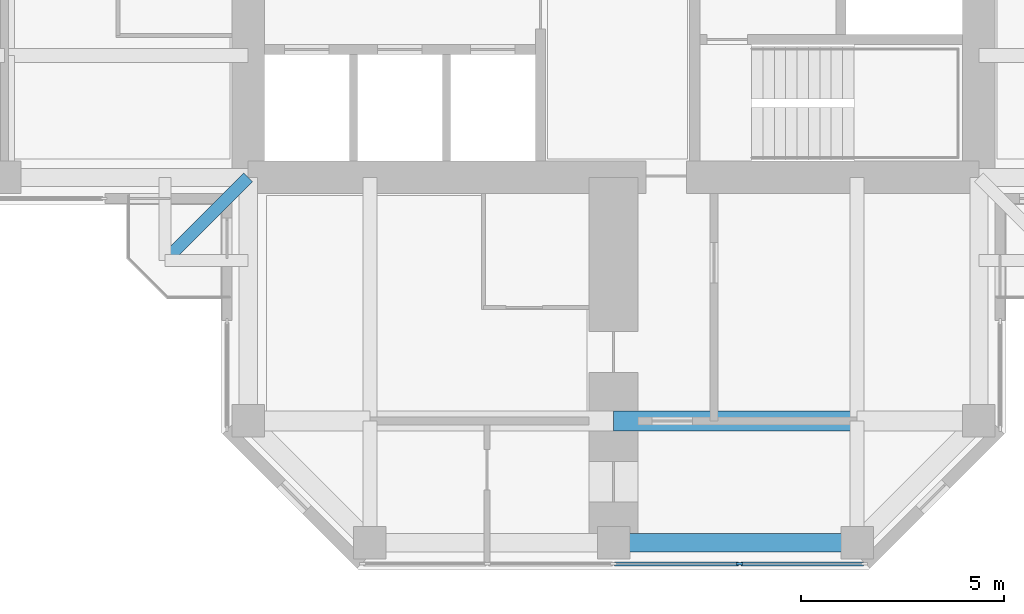
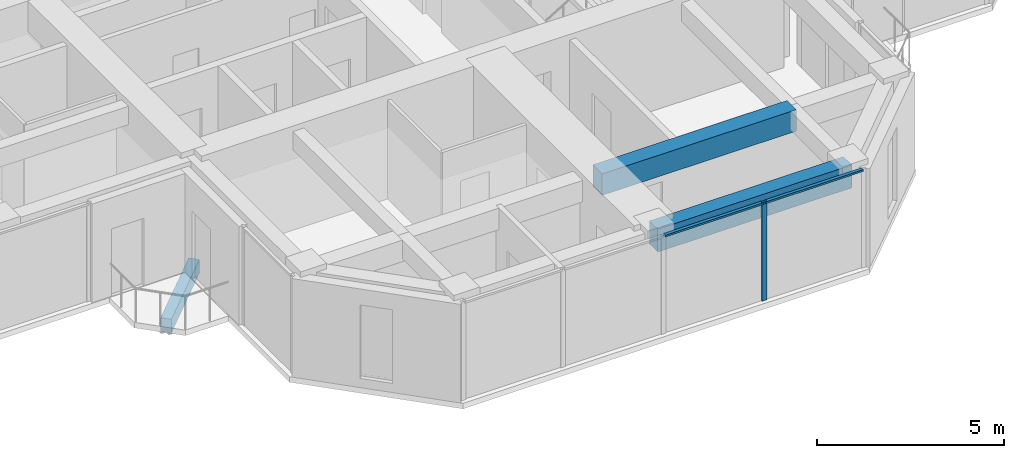
# One storey, part 3 of 13: 3 beams, 3 members, 1 element without a shape of its own.
"""IFC4 building model written with IfcOpenShell, lengths in metres."""

import ifcopenshell
import ifcopenshell.guid

model = None  # the IFC model being written
_history = None  # IfcOwnerHistory: only IFC2X3 demands one
_inside = {}  # id of a spatial element -> (the spatial element, [elements in it])
_under = {}  # id of a project, library or spatial element -> (it, [spatial elements below it])
_declared = {}  # id of a project -> (the project, [libraries it declares])
_typed = {}  # id of a type object -> (the type object, [elements of that type])
_made_of = {}  # id of a material, layer set ... -> (it, [elements and type objects made of it])


def new_model(schema):
    """Start an empty IFC model of exactly this schema.

    Asked for "IFC4X3", IfcOpenShell would pick the latest addendum, in which some entities
    have other attributes; the version numbers below select the first issue.
    IFC2X3 requires an IfcOwnerHistory on every rooted entity: one is made here for all.
    """
    global model, _history
    if schema == "IFC4X3":
        model = ifcopenshell.file(schema_version=(4, 3, 0, 0))
    else:
        model = ifcopenshell.file(schema=schema)
    _inside.clear()
    _under.clear()
    _declared.clear()
    _typed.clear()
    _made_of.clear()
    _history = None
    if model.schema == "IFC2X3":
        org = make("IfcOrganization", Name="unknown")
        user = make(
            "IfcPersonAndOrganization",
            ThePerson=make("IfcPerson", FamilyName="unknown"),
            TheOrganization=org,
        )
        app = make(
            "IfcApplication",
            ApplicationDeveloper=org,
            Version="unknown",
            ApplicationFullName="unknown",
            ApplicationIdentifier="unknown",
        )
        _history = make(
            "IfcOwnerHistory",
            OwningUser=user,
            OwningApplication=app,
            ChangeAction="ADDED",
            CreationDate=0,
        )
    return model


def make(cls, **values):
    """One entity of the class cls with the attributes given. An attribute that is None is left unset."""
    return model.create_entity(
        cls, **{name: value for name, value in values.items() if value is not None}
    )


def rooted(cls, **values):
    """An entity with a GlobalId (a new one), such as an element, a storey or a relation."""
    return make(cls, GlobalId=ifcopenshell.guid.new(), OwnerHistory=_history, **values)


def si_unit(unit_type, name, prefix=None):
    """IfcSIUnit, for example si_unit("LENGTHUNIT", "METRE", prefix="MILLI")."""
    return make("IfcSIUnit", UnitType=unit_type, Prefix=prefix, Name=name)


def assignment(units):
    """IfcUnitAssignment: the units of a project."""
    return None if units is None else make("IfcUnitAssignment", Units=units)


def point(xyz):
    """IfcCartesianPoint."""
    return None if xyz is None else make("IfcCartesianPoint", Coordinates=xyz)


def direction(xyz):
    """IfcDirection."""
    return None if xyz is None else make("IfcDirection", DirectionRatios=xyz)


def frame(location, z_axis=None, x_axis=None):
    """IfcAxis2Placement3D, a coordinate frame: its origin and axes. An axis left out is left unset."""
    return make(
        "IfcAxis2Placement3D",
        Location=point(location),
        Axis=direction(z_axis),
        RefDirection=direction(x_axis),
    )


def frame_2d(location, x_axis=None):
    """IfcAxis2Placement2D, a coordinate frame in the plane: its origin and x axis."""
    return make(
        "IfcAxis2Placement2D", Location=point(location), RefDirection=direction(x_axis)
    )


def origin():
    """The frame at (0, 0, 0) with its axes left unset."""
    return frame((0.0, 0.0, 0.0))


def origin_2d():
    """The frame at (0, 0) in the plane with its x axis left unset."""
    return frame_2d((0.0, 0.0))


def place(relative_to, where):
    """IfcLocalPlacement: puts the frame where relative to a parent placement (None: the world)."""
    return make(
        "IfcLocalPlacement", PlacementRelTo=relative_to, RelativePlacement=where
    )


def context(
    kind, dimensions, precision=None, world=None, true_north=None, identifier=None
):
    """IfcGeometricRepresentationContext, for example the 3D "Model" context."""
    return make(
        "IfcGeometricRepresentationContext",
        ContextIdentifier=identifier,
        ContextType=kind,
        CoordinateSpaceDimension=dimensions,
        Precision=precision,
        WorldCoordinateSystem=world,
        TrueNorth=true_north,
    )


def subcontext(parent, identifier, kind, view, scale=None):
    """IfcGeometricRepresentationSubContext, for example "Body" below "Model"."""
    return make(
        "IfcGeometricRepresentationSubContext",
        ContextIdentifier=identifier,
        ContextType=kind,
        ParentContext=parent,
        TargetScale=scale,
        TargetView=view,
    )


def project(units=None, contexts=None):
    """IfcProject with its units and contexts."""
    return rooted(
        "IfcProject",
        Name="project",
        RepresentationContexts=contexts,
        UnitsInContext=assignment(units),
    )


def spatial(cls, under=None, at=None, **own):
    """A site, building, storey or space (cls), placed at a placement, below another one or the project."""
    s = rooted(cls, ObjectPlacement=at, **own)
    if under is not None:
        _under.setdefault(under.id(), (under, []))[1].append(s)
    return s


def profile(cls, at=None, kind="AREA", **sizes):
    """A parametric profile (cls). Its sizes go by their IFC names, for example OverallWidth=200.0."""
    return make(cls, ProfileType=kind, Position=at, **sizes)


def rectangle(**sizes):
    """IfcRectangleProfileDef."""
    return profile("IfcRectangleProfileDef", **sizes)


def extrude(swept, where, along, depth):
    """IfcExtrudedAreaSolid: the profile swept, set in the frame where, extruded along a direction by depth."""
    return make(
        "IfcExtrudedAreaSolid",
        SweptArea=swept,
        Position=where,
        ExtrudedDirection=direction(along),
        Depth=depth,
    )


def shape(context_of_items, identifier, shape_type, items):
    """IfcShapeRepresentation: the items that make up one representation, for example the "Body"."""
    return make(
        "IfcShapeRepresentation",
        ContextOfItems=context_of_items,
        RepresentationIdentifier=identifier,
        RepresentationType=shape_type,
        Items=items,
    )


def material(Name=None, Category=None):
    """IfcMaterial."""
    return make("IfcMaterial", Name=Name, Category=Category)


def material_profile(
    of_material, cross_section, Name=None, Category=None, Priority=None
):
    """IfcMaterialProfile: a cross section and its material."""
    return make(
        "IfcMaterialProfile",
        Name=Name,
        Material=of_material,
        Profile=cross_section,
        Priority=Priority,
        Category=Category,
    )


def profile_set(profiles, Name=None, composite=None):
    """IfcMaterialProfileSet."""
    return make(
        "IfcMaterialProfileSet",
        Name=Name,
        MaterialProfiles=profiles,
        CompositeProfile=composite,
    )


def made_of(thing, what):
    """Note that an element or type object is made of a material, layer set ...; save() writes the relation."""
    if what is not None:
        _made_of.setdefault(what.id(), (what, []))[1].append(thing)
    return thing


def type_object(cls, material=None, **own):
    """A type object (cls), such as IfcWallType, which elements share."""
    return made_of(rooted(cls, **own), material)


def element(
    cls,
    number,
    at=None,
    inside=None,
    cuts=None,
    type_object=None,
    material=None,
    context=None,
    identifier="Body",
    shape_type=None,
    held_by="IfcProductDefinitionShape",
    body=None,
    shapes=None,
    **own,
):
    """One element of the class cls, such as IfcWall. Its Tag is "e" and its number.

    at: its placement. inside: the storey or other place that contains it. cuts: it is an
    opening in that element (IfcRelVoidsElement). A single representation is given by context,
    identifier, shape_type and body (its items); several are given by shapes. held_by: the class
    of the entity that holds the representations. save() writes the other relations.
    """
    e = rooted(cls, Tag="e%d" % number, ObjectPlacement=at, **own)
    if body is not None:
        shapes = [shape(context, identifier, shape_type, body)]
    if shapes is not None:
        e.Representation = make(held_by, Representations=shapes)
    if inside is not None:
        _inside.setdefault(inside.id(), (inside, []))[1].append(e)
    if cuts is not None:
        rooted(
            "IfcRelVoidsElement", RelatingBuildingElement=cuts, RelatedOpeningElement=e
        )
    if type_object is not None:
        _typed.setdefault(type_object.id(), (type_object, []))[1].append(e)
    return made_of(e, material)


def aggregate(whole, parts):
    """IfcRelAggregates: a whole, such as a stair, and the parts it consists of."""
    return rooted("IfcRelAggregates", RelatingObject=whole, RelatedObjects=parts)


def save(model, path):
    """Write the relations noted so far, then the file.

    IfcRelAggregates (storeys below a building ...), IfcRelContainedInSpatialStructure (elements
    in a storey), IfcRelDefinesByType, IfcRelAssociatesMaterial and IfcRelDeclares: one each for
    every whole, place, type object, material and project.
    """
    for whole, parts in _under.values():
        aggregate(whole, parts)
    for where, things in _inside.values():
        rooted(
            "IfcRelContainedInSpatialStructure",
            RelatedElements=things,
            RelatingStructure=where,
        )
    for kind, things in _typed.values():
        rooted("IfcRelDefinesByType", RelatedObjects=things, RelatingType=kind)
    for what, things in _made_of.values():
        rooted("IfcRelAssociatesMaterial", RelatedObjects=things, RelatingMaterial=what)
    for by, libraries in _declared.values():
        rooted("IfcRelDeclares", RelatingContext=by, RelatedDefinitions=libraries)
    model.write(path)


model = new_model("IFC4")

# Units and contexts
model_context = context("Model", 3, precision=1e-05, world=origin(), true_north=direction((0.0, 1.0)))
body_context = subcontext(model_context, "Body", "Model", "MODEL_VIEW")
ifc_project = project(units=[si_unit("LENGTHUNIT", "METRE"), si_unit("AREAUNIT", "SQUARE_METRE"), si_unit("VOLUMEUNIT", "CUBIC_METRE"), si_unit("PLANEANGLEUNIT", "RADIAN"), si_unit("MASSUNIT", "GRAM", prefix="KILO")], contexts=[model_context])

# Site, building, storey
site_placement = place(None, origin())
site = spatial("IfcSite", under=ifc_project, at=site_placement, CompositionType="ELEMENT")
building_placement = place(site_placement, origin())
building = spatial("IfcBuilding", under=site, at=building_placement, Name="Torre Cruceta", CompositionType="ELEMENT")
storey_placement = place(building_placement, frame((0.0, 0.0, 245.89990234375)))
storey = spatial("IfcBuildingStorey", under=building, at=storey_placement, Name="L63", CompositionType="ELEMENT", Elevation=245.89990234375)

# Beams
ifc_material_1 = material(Name="Concrete G60 (fck 60 MPa)", Category="concrete")
ifc_material_profile_1 = material_profile(ifc_material_1, rectangle(XDim=0.300048828125, YDim=0.449951171875, at=origin_2d()), Name="RC 300X450")
ifc_profile_set_1 = profile_set([ifc_material_profile_1], Name="Concrete G60 (fck 60 MPa)")
beam_type_1 = type_object("IfcBeamType", Name="BALCONY CANTILEVER BEAM RC 300X450", PredefinedType="BEAM", material=ifc_profile_set_1)
beam_1_placement = place(storey_placement, frame((-9.0, -9.0, -0.40478515625), z_axis=(-0.707106781187, -0.707106781187, 0.0), x_axis=(0.707106781187, -0.707106781187, 0.0)))
element("IfcBeam", 1, at=beam_1_placement, inside=storey, type_object=beam_type_1, Name="BB1 balcony beam L63 W", PredefinedType="BEAM", context=body_context, shape_type="SweptSolid", body=[
    extrude(rectangle(XDim=0.300048828125, YDim=0.449951171875, at=origin_2d()), origin(), (0.0, 0.0, 1.0), 2.89990234375),
])
ifc_material_2 = material(Name="Concrete G60 (fck 60 MPa)", Category="concrete")
ifc_material_profile_2 = material_profile(ifc_material_2, rectangle(XDim=0.5, YDim=0.699951171875, at=origin_2d()), Name="RC 500X700")
ifc_profile_set_2 = profile_set([ifc_material_profile_2], Name="Concrete G60 (fck 60 MPa)")
beam_type_2 = type_object("IfcBeamType", Name="CROSS BEAM RC 500X700", PredefinedType="BEAM", material=ifc_profile_set_2)
beam_2_placement = place(storey_placement, frame((0.0, -15.0, 2.8701171875), z_axis=(1.0, 0.0, 0.0), x_axis=(0.0, 1.0, 0.0)))
element("IfcBeam", 2, at=beam_2_placement, inside=storey, type_object=beam_type_2, Name="GB7 L63 S cross15 3", PredefinedType="BEAM", context=body_context, shape_type="SweptSolid", body=[
    extrude(rectangle(XDim=0.5, YDim=0.699951171875, at=origin_2d()), origin(), (0.0, 0.0, 1.0), 6.0),
])

# Curtain wall, members
ifc_material_3 = material(Name="Aluminium unitised curtain wall", Category="aluminium")
curtain_wall_type = type_object("IfcCurtainWallType", Name="CURTAIN WALL CW-D CO-LIVING UPPER", PredefinedType="USERDEFINED", material=ifc_material_3)
curtain_wall_placement = place(storey_placement, origin())
curtain_wall = element("IfcCurtainWall", 3, at=curtain_wall_placement, inside=storey, type_object=curtain_wall_type, Name="CW-D L63 S tip 17", ObjectType="UNITISED", PredefinedType="USERDEFINED")
ifc_material_4 = material(Name="Aluminium mullion", Category="aluminium")
ifc_material_profile_3 = material_profile(ifc_material_4, rectangle(XDim=0.06005859375, YDim=0.14990234375, at=origin_2d()), Name="AL 60X150")
ifc_profile_set_3 = profile_set([ifc_material_profile_3], Name="Aluminium mullion")
member_type_1 = type_object("IfcMemberType", Name="CW-D MULLION 60X150", PredefinedType="MULLION", material=ifc_profile_set_3)
member_1_placement = place(storey_placement, frame((3.107666015625, -18.52001953125, 0.0), z_axis=(0.0, 0.0, 1.0), x_axis=(0.0, 1.0, 0.0)))
member_1 = element("IfcMember", 4, at=member_1_placement, type_object=member_type_1, Name="CW-D mullion 4", PredefinedType="MULLION", context=body_context, shape_type="SweptSolid", body=[
    extrude(rectangle(XDim=0.06005859375, YDim=0.14990234375, at=origin_2d()), origin(), (0.0, 0.0, 1.0), 3.22021484375),
])
ifc_material_5 = material(Name="Aluminium transom", Category="aluminium")
ifc_material_profile_4 = material_profile(ifc_material_5, rectangle(XDim=0.10009765625, YDim=0.06005859375, at=origin_2d()), Name="AL 100X60")
ifc_profile_set_4 = profile_set([ifc_material_profile_4], Name="Aluminium transom")
member_type_2 = type_object("IfcMemberType", Name="CW-D TRANSOM 60X100", PredefinedType="USERDEFINED", material=ifc_profile_set_4)
member_2_placement = place(storey_placement, frame((0.030029296875, -18.52001953125, 3.190185546875), z_axis=(1.0, 0.0, 0.0), x_axis=(0.0, 1.0, 0.0)))
member_2 = element("IfcMember", 5, at=member_2_placement, type_object=member_type_2, Name="CW-D transom 3", ObjectType="TRANSOM", PredefinedType="USERDEFINED", context=body_context, shape_type="SweptSolid", body=[
    extrude(rectangle(XDim=0.10009765625, YDim=0.06005859375, at=origin_2d()), origin(), (0.0, 0.0, 1.0), 3.047607421875),
])
member_3_placement = place(storey_placement, frame((3.1376953125, -18.52001953125, 3.190185546875), z_axis=(1.0, 0.0, 0.0), x_axis=(0.0, 1.0, 0.0)))
member_3 = element("IfcMember", 6, at=member_3_placement, type_object=member_type_2, Name="CW-D transom 4", ObjectType="TRANSOM", PredefinedType="USERDEFINED", context=body_context, shape_type="SweptSolid", body=[
    extrude(rectangle(XDim=0.10009765625, YDim=0.06005859375, at=origin_2d()), origin(), (0.0, 0.0, 1.0), 3.017578125),
])
aggregate(curtain_wall, [member_1, member_2, member_3])

# Beam
ifc_material_6 = material(Name="Concrete G60 (fck 60 MPa)", Category="concrete")
ifc_material_profile_5 = material_profile(ifc_material_6, rectangle(XDim=0.449951171875, YDim=0.75, at=origin_2d()), Name="RC 450X750")
ifc_profile_set_5 = profile_set([ifc_material_profile_5], Name="Concrete G60 (fck 60 MPa)")
beam_type_3 = type_object("IfcBeamType", Name="SPANDREL BEAM RC 450X750", PredefinedType="SPANDREL", material=ifc_profile_set_5)
beam_3_placement = place(storey_placement, frame((0.0, -18.0, 2.84521484375), z_axis=(1.0, 0.0, 0.0), x_axis=(0.0, 1.0, 0.0)))
element("IfcBeam", 7, at=beam_3_placement, inside=storey, type_object=beam_type_3, Name="SB7 L63 S tip 2", PredefinedType="SPANDREL", context=body_context, shape_type="SweptSolid", body=[
    extrude(rectangle(XDim=0.449951171875, YDim=0.75, at=origin_2d()), origin(), (0.0, 0.0, 1.0), 6.0),
])

save(model, "model.ifc")
